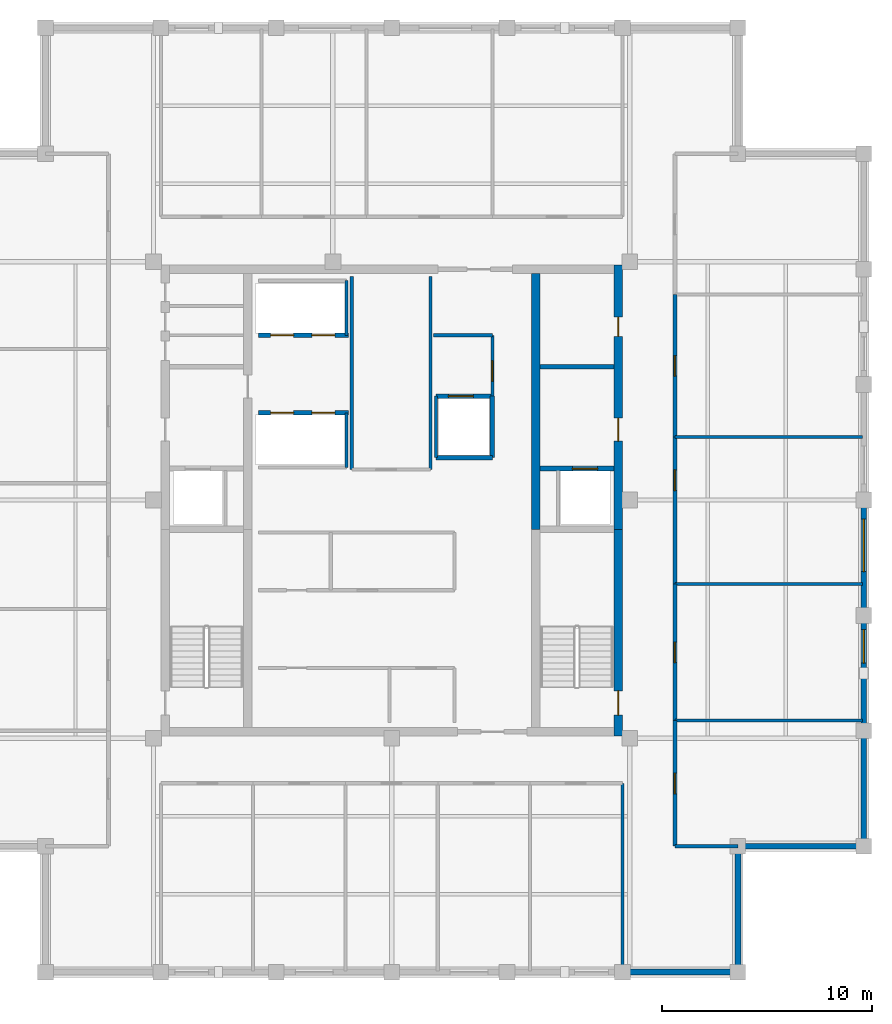
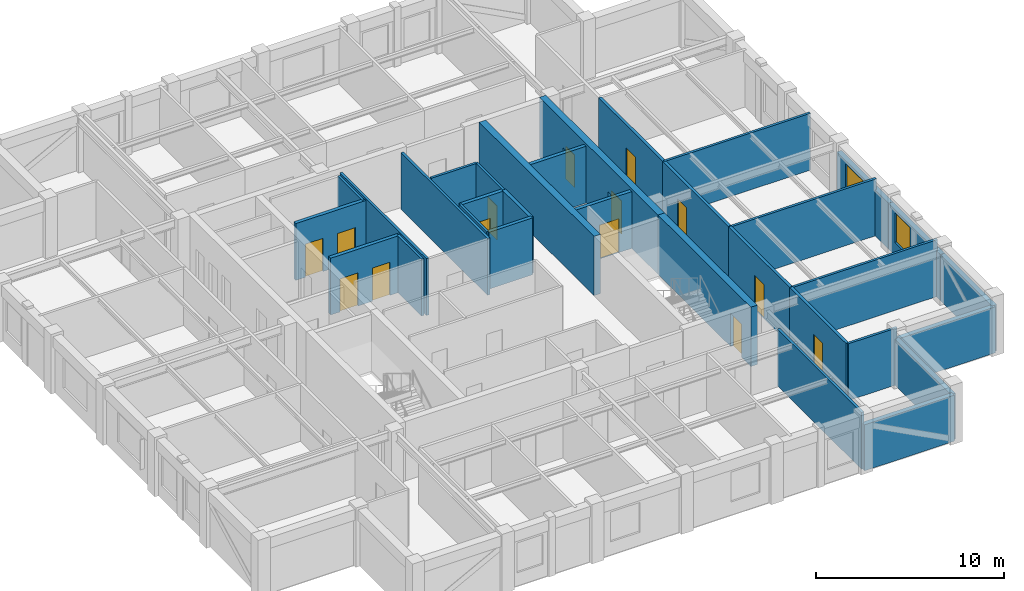
# One storey, part 5 of 8: 32 walls, 14 doors, 2 windows, 16 openings.
"""IFC4 building model written with IfcOpenShell, lengths in metres."""

from ifc_helpers import new_model, si_unit, direction, frame, frame_2d, origin, place, context, subcontext, project, spatial, rectangle, extrude, material, layer, layer_set, type_object, element, fill, save


model = new_model("IFC4")

# Units and contexts
model_context = context("Model", 3, precision=1e-05, world=origin(), true_north=direction((0.0, 1.0)))
body_context = subcontext(model_context, "Body", "Model", "MODEL_VIEW")
ifc_project = project(units=[si_unit("LENGTHUNIT", "METRE"), si_unit("AREAUNIT", "SQUARE_METRE"), si_unit("VOLUMEUNIT", "CUBIC_METRE"), si_unit("PLANEANGLEUNIT", "RADIAN"), si_unit("MASSUNIT", "GRAM", prefix="KILO")], contexts=[model_context])

# Site, building, storey
site_placement = place(None, origin())
site = spatial("IfcSite", under=ifc_project, at=site_placement, CompositionType="ELEMENT")
building_placement = place(site_placement, origin())
building = spatial("IfcBuilding", under=site, at=building_placement, Name="Nhamokura Convention Tower", CompositionType="ELEMENT")
storey_placement = place(building_placement, frame((0.0, 0.0, 292.949951171875)))
storey = spatial("IfcBuildingStorey", under=building, at=storey_placement, Name="L72", CompositionType="ELEMENT", Elevation=292.949951171875)

# Walls
ifc_material_1 = material(Name="Bronze-pigmented precast concrete C45/55", Category="concrete")
ifc_layer_1 = layer(ifc_material_1, 0.280029296875)
ifc_layer_set_1 = layer_set([ifc_layer_1], Name="BronzePrecastSpandrel_280")
wall_type_1 = type_object("IfcWallType", Name="BronzePrecastSpandrel_280", PredefinedType="USERDEFINED", material=ifc_layer_set_1)
for number, where, z_axis, x_axis, name in (
    (1, (48.5, 9.5, 0.0), (0.0, 0.0, 1.0), (-1.0, 0.0, 0.0), "L72 Braced-Bay Precast Wall SOUTH 5"),
    (2, (54.5, 21.0, 0.0), (0.0, 0.0, 1.0), (0.0, -1.0, 0.0), "L72 Braced-Bay Precast Wall EAST 0"),
):
    element("IfcWall", number, at=place(storey_placement, frame(where, z_axis=z_axis, x_axis=x_axis)), inside=storey, type_object=wall_type_1, Name=name, ObjectType="SPANDREL_WALL", PredefinedType="USERDEFINED", context=body_context, shape_type="SweptSolid", body=[
        extrude(rectangle(XDim=5.5, YDim=0.280029296875, at=frame_2d((2.75, 0.0))), origin(), (0.0, 0.0, 1.0), 2.985107421875),
    ])

# Wall, opening, window
wall_1_placement = place(storey_placement, frame((54.5, 26.5, 0.0), z_axis=(0.0, 0.0, 1.0), x_axis=(0.0, -1.0, 0.0)))
wall_1 = element("IfcWall", 3, at=wall_1_placement, inside=storey, type_object=wall_type_1, Name="L72 Masonry-Frame Wall EAST 1", ObjectType="SPANDREL_WALL", PredefinedType="USERDEFINED", context=body_context, shape_type="SweptSolid", body=[
    extrude(rectangle(XDim=5.5, YDim=0.280029296875, at=frame_2d((2.75, 0.0))), origin(), (0.0, 0.0, 1.0), 2.985107421875),
])
opening_1_placement = place(wall_1_placement, frame((0.675048828125, 0.0, 0.85009765625)))
opening_1 = element("IfcOpeningElement", 4, at=opening_1_placement, cuts=wall_1, Name="Opening W-11", PredefinedType="OPENING", context=body_context, shape_type="SweptSolid", body=[
    extrude(rectangle(XDim=1.60009765625, YDim=1.93505859375, at=frame_2d((0.800048828125, 0.967529296875))), frame((0.0, 0.14990234375, 0.0), z_axis=(0.0, -1.0, 0.0), x_axis=(1.0, 0.0, 0.0)), (0.0, 0.0, 1.0), 0.300048828125),
])
ifc_material_2 = material(Name="Solar-control bronze low-E double glass", Category="glass")
window_type_1 = type_object("IfcWindowType", Name="NotchCornerWindow_1600", PartitioningType="SINGLE_PANEL", PredefinedType="WINDOW", material=ifc_material_2)
window_1_placement = place(opening_1_placement, origin())
window_1 = element("IfcWindow", 5, at=window_1_placement, inside=storey, type_object=window_type_1, Name="L72 Facade Window EAST 1-1", OverallHeight=1.93505859375, OverallWidth=1.60009765625, PartitioningType="SINGLE_PANEL", PredefinedType="WINDOW", context=body_context, shape_type="SweptSolid", body=[
    extrude(rectangle(XDim=1.60009765625, YDim=1.93505859375, at=frame_2d((0.800048828125, 0.967529296875))), frame((0.0, 0.030029296875, 0.0), z_axis=(0.0, -1.0, 0.0), x_axis=(1.0, 0.0, 0.0)), (0.0, 0.0, 1.0), 0.06005859375),
])
fill(opening_1, window_1)

wall_2_placement = place(storey_placement, frame((54.5, 32.0, 0.0), z_axis=(0.0, 0.0, 1.0), x_axis=(0.0, -1.0, 0.0)))
wall_2 = element("IfcWall", 6, at=wall_2_placement, inside=storey, type_object=wall_type_1, Name="L72 Masonry-Frame Wall EAST 2", ObjectType="SPANDREL_WALL", PredefinedType="USERDEFINED", context=body_context, shape_type="SweptSolid", body=[
    extrude(rectangle(XDim=5.5, YDim=0.280029296875, at=frame_2d((2.75, 0.0))), origin(), (0.0, 0.0, 1.0), 2.985107421875),
])
opening_2_placement = place(wall_2_placement, frame((0.91259765625, 0.0, 0.85009765625)))
opening_2 = element("IfcOpeningElement", 7, at=opening_2_placement, cuts=wall_2, Name="Opening W-09", PredefinedType="OPENING", context=body_context, shape_type="SweptSolid", body=[
    extrude(rectangle(XDim=2.5, YDim=1.93505859375, at=frame_2d((1.25, 0.967529296875))), frame((0.0, 0.14990234375, 0.0), z_axis=(0.0, -1.0, 0.0), x_axis=(1.0, 0.0, 0.0)), (0.0, 0.0, 1.0), 0.300048828125),
])
ifc_material_3 = material(Name="Solar-control bronze low-E double glass", Category="glass")
window_type_2 = type_object("IfcWindowType", Name="SummitWindow_Z4_2500", PartitioningType="DOUBLE_PANEL_VERTICAL", PredefinedType="WINDOW", material=ifc_material_3)
window_2_placement = place(opening_2_placement, origin())
window_2 = element("IfcWindow", 8, at=window_2_placement, inside=storey, type_object=window_type_2, Name="L72 Facade Window EAST 2-1", OverallHeight=1.93505859375, OverallWidth=2.5, PartitioningType="SINGLE_PANEL", PredefinedType="WINDOW", context=body_context, shape_type="SweptSolid", body=[
    extrude(rectangle(XDim=2.5, YDim=1.93505859375, at=frame_2d((1.25, 0.967529296875))), frame((0.0, 0.030029296875, 0.0), z_axis=(0.0, -1.0, 0.0), x_axis=(1.0, 0.0, 0.0)), (0.0, 0.0, 1.0), 0.06005859375),
])
fill(opening_2, window_2)

# Walls
for number, where, z_axis, x_axis, name in (
    (9, (48.5, 15.5, 0.0), (0.0, 0.0, 1.0), (0.0, -1.0, 0.0), "L72 Notched Corner Wall SE1"),
    (10, (54.5, 15.5, 0.0), (0.0, 0.0, 1.0), (-1.0, 0.0, 0.0), "L72 Notched Corner Wall SE2"),
):
    element("IfcWall", number, at=place(storey_placement, frame(where, z_axis=z_axis, x_axis=x_axis)), inside=storey, type_object=wall_type_1, Name=name, ObjectType="SPANDREL_WALL", PredefinedType="USERDEFINED", context=body_context, shape_type="SweptSolid", body=[
        extrude(rectangle(XDim=6.0, YDim=0.280029296875, at=frame_2d((3.0, 0.0))), origin(), (0.0, 0.0, 1.0), 2.985107421875),
    ])

# Wall, opening, door
ifc_material_4 = material(Name="Concrete C50/60", Category="concrete")
ifc_layer_2 = layer(ifc_material_4, 0.39990234375)
ifc_layer_set_2 = layer_set([ifc_layer_2], Name="CoreShearWall_400")
wall_type_2 = type_object("IfcWallType", Name="CoreShearWall_400", PredefinedType="SHEAR", material=ifc_layer_set_2)
wall_3_placement = place(storey_placement, frame((42.7900390625, 20.75, 0.0), z_axis=(0.0, 0.0, 1.0), x_axis=(0.0, 1.0, 0.0)))
wall_3 = element("IfcWall", 11, at=wall_3_placement, inside=storey, type_object=wall_type_2, Name="L72 Core Shear Wall CW-ES", PredefinedType="SHEAR", context=body_context, shape_type="SweptSolid", body=[
    extrude(rectangle(XDim=9.85009765625, YDim=0.39990234375, at=frame_2d((4.925048828125, 0.0))), origin(), (0.0, 0.0, 1.0), 3.85009765625),
])
opening_3_placement = place(wall_3_placement, frame((1.0, 0.0, 0.0)))
opening_3 = element("IfcOpeningElement", 12, at=opening_3_placement, cuts=wall_3, Name="Opening D-04", PredefinedType="OPENING", context=body_context, shape_type="SweptSolid", body=[
    extrude(rectangle(XDim=1.14990234375, YDim=2.14990234375, at=frame_2d((0.574951171875, 1.074951171875))), frame((0.0, 0.2099609375, 0.0), z_axis=(0.0, -1.0, 0.0), x_axis=(1.0, 0.0, 0.0)), (0.0, 0.0, 1.0), 0.419921875),
])
ifc_material_5 = material(Name="Fire-rated steel door", Category="steel")
door_type_1 = type_object("IfcDoorType", Name="StairSmokeDoor_1150", OperationType="NOTDEFINED", PredefinedType="DOOR", material=ifc_material_5)
door_1_placement = place(opening_3_placement, origin())
door_1 = element("IfcDoor", 13, at=door_1_placement, inside=storey, type_object=door_type_1, Name="L72 Core Door INT-L72-D-ST02", OperationType="SINGLE_SWING_RIGHT", OverallHeight=2.14990234375, OverallWidth=1.14990234375, PredefinedType="DOOR", context=body_context, shape_type="SweptSolid", body=[
    extrude(rectangle(XDim=1.14990234375, YDim=2.14990234375, at=frame_2d((0.574951171875, 1.074951171875))), frame((0.0, 0.02490234375, 0.0), z_axis=(0.0, -1.0, 0.0), x_axis=(1.0, 0.0, 0.0)), (0.0, 0.0, 1.0), 0.050048828125),
])
fill(opening_3, door_1)

# Wall, openings, doors
wall_4_placement = place(storey_placement, frame((42.7900390625, 30.60009765625, 0.0), z_axis=(0.0, 0.0, 1.0), x_axis=(0.0, 1.0, 0.0)))
wall_4 = element("IfcWall", 14, at=wall_4_placement, inside=storey, type_object=wall_type_2, Name="L72 Core Shear Wall CW-EN", PredefinedType="SHEAR", context=body_context, shape_type="SweptSolid", body=[
    extrude(rectangle(XDim=12.599853515625, YDim=0.39990234375, at=frame_2d((6.2998046875, 0.0))), origin(), (0.0, 0.0, 1.0), 3.85009765625),
])
opening_4_placement = place(wall_4_placement, frame((4.199951171875, 0.0, 0.0)))
opening_4 = element("IfcOpeningElement", 15, at=opening_4_placement, cuts=wall_4, Name="Opening D-05", PredefinedType="OPENING", context=body_context, shape_type="SweptSolid", body=[
    extrude(rectangle(XDim=1.10009765625, YDim=2.14990234375, at=frame_2d((0.550048828125, 1.074951171875))), frame((0.0, 0.2099609375, 0.0), z_axis=(0.0, -1.0, 0.0), x_axis=(1.0, 0.0, 0.0)), (0.0, 0.0, 1.0), 0.419921875),
])
opening_5_placement = place(wall_4_placement, frame((9.199951171875, 0.0, 0.0)))
opening_5 = element("IfcOpeningElement", 16, at=opening_5_placement, cuts=wall_4, Name="Opening D-10", PredefinedType="OPENING", context=body_context, shape_type="SweptSolid", body=[
    extrude(rectangle(XDim=0.919921875, YDim=2.10009765625, at=frame_2d((0.4599609375, 1.050048828125))), frame((0.0, 0.2099609375, 0.0), z_axis=(0.0, -1.0, 0.0), x_axis=(1.0, 0.0, 0.0)), (0.0, 0.0, 1.0), 0.419921875),
])
ifc_material_6 = material(Name="Solid oak hardwood", Category="wood")
door_type_2 = type_object("IfcDoorType", Name="AccessibleWCDoor_920", OperationType="NOTDEFINED", PredefinedType="DOOR", material=ifc_material_6)
door_2_placement = place(opening_5_placement, origin())
door_2 = element("IfcDoor", 17, at=door_2_placement, inside=storey, type_object=door_type_2, Name="L72 Core Door INT-L72-D-UWC", OperationType="SINGLE_SWING_RIGHT", OverallHeight=2.10009765625, OverallWidth=0.919921875, PredefinedType="DOOR", context=body_context, shape_type="SweptSolid", body=[
    extrude(rectangle(XDim=0.919921875, YDim=2.10009765625, at=frame_2d((0.4599609375, 1.050048828125))), frame((0.0, 0.02490234375, 0.0), z_axis=(0.0, -1.0, 0.0), x_axis=(1.0, 0.0, 0.0)), (0.0, 0.0, 1.0), 0.050048828125),
])
fill(opening_5, door_2)
ifc_material_7 = material(Name="Fire-rated steel door", Category="steel")
door_type_3 = type_object("IfcDoorType", Name="FireLobbyDoor_1100", OperationType="NOTDEFINED", PredefinedType="DOOR", material=ifc_material_7)
door_3_placement = place(opening_4_placement, origin())
door_3 = element("IfcDoor", 18, at=door_3_placement, inside=storey, type_object=door_type_3, Name="L72 Core Door INT-L72-D-FFLE", OperationType="SINGLE_SWING_LEFT", OverallHeight=2.14990234375, OverallWidth=1.10009765625, PredefinedType="DOOR", context=body_context, shape_type="SweptSolid", body=[
    extrude(rectangle(XDim=1.10009765625, YDim=2.14990234375, at=frame_2d((0.550048828125, 1.074951171875))), frame((0.0, 0.02490234375, 0.0), z_axis=(0.0, -1.0, 0.0), x_axis=(1.0, 0.0, 0.0)), (0.0, 0.0, 1.0), 0.050048828125),
])
fill(opening_4, door_3)

# Wall
wall_5_placement = place(storey_placement, frame((38.860107421875, 30.60009765625, 0.0), z_axis=(0.0, 0.0, 1.0), x_axis=(0.0, 1.0, 0.0)))
element("IfcWall", 19, at=wall_5_placement, inside=storey, type_object=wall_type_2, Name="L72 Core Shear Wall CW-IEN", PredefinedType="SHEAR", context=body_context, shape_type="SweptSolid", body=[
    extrude(rectangle(XDim=12.199951171875, YDim=0.39990234375, at=frame_2d((6.10009765625, 0.0))), origin(), (0.0, 0.0, 1.0), 3.85009765625),
])

# Wall, opening, door
ifc_material_8 = material(Name="Fire-rated gypsum and masonry partition", Category="masonry")
ifc_layer_3 = layer(ifc_material_8, 0.179931640625)
ifc_layer_set_3 = layer_set([ifc_layer_3], Name="CorridorRatedWall_180")
wall_type_3 = type_object("IfcWallType", Name="CorridorRatedWall_180", PredefinedType="STANDARD", material=ifc_layer_set_3)
wall_6_placement = place(storey_placement, frame((45.5, 15.5, 0.0), z_axis=(0.0, 0.0, 1.0), x_axis=(0.0, 1.0, 0.0)))
wall_6 = element("IfcWall", 20, at=wall_6_placement, inside=storey, type_object=wall_type_3, Name="L72 Wall INT-L72-CW-E00", PredefinedType="STANDARD", context=body_context, shape_type="SweptSolid", body=[
    extrude(rectangle(XDim=6.0, YDim=0.179931640625, at=frame_2d((3.0, 0.0))), origin(), (0.0, 0.0, 1.0), 3.68505859375),
])
opening_6_placement = place(wall_6_placement, frame((2.5, 0.0, 0.0)))
opening_6 = element("IfcOpeningElement", 21, at=opening_6_placement, cuts=wall_6, Name="Opening D-08", PredefinedType="OPENING", context=body_context, shape_type="SweptSolid", body=[
    extrude(rectangle(XDim=0.97998046875, YDim=2.199951171875, at=frame_2d((0.489990234375, 1.10009765625))), frame((0.0, 0.099853515625, 0.0), z_axis=(0.0, -1.0, 0.0), x_axis=(1.0, 0.0, 0.0)), (0.0, 0.0, 1.0), 0.199951171875),
])
ifc_material_9 = material(Name="Solid oak hardwood", Category="wood")
door_type_4 = type_object("IfcDoorType", Name="OfficeEntryDoor_980", OperationType="NOTDEFINED", PredefinedType="DOOR", material=ifc_material_9)
door_4_placement = place(opening_6_placement, origin())
door_4 = element("IfcDoor", 22, at=door_4_placement, inside=storey, type_object=door_type_4, Name="L72 Reading Lounge E01 Door", OperationType="SINGLE_SWING_LEFT", OverallHeight=2.199951171875, OverallWidth=0.97998046875, PredefinedType="DOOR", context=body_context, shape_type="SweptSolid", body=[
    extrude(rectangle(XDim=0.97998046875, YDim=2.199951171875, at=frame_2d((0.489990234375, 1.10009765625))), frame((0.0, 0.02490234375, 0.0), z_axis=(0.0, -1.0, 0.0), x_axis=(1.0, 0.0, 0.0)), (0.0, 0.0, 1.0), 0.050048828125),
])
fill(opening_6, door_4)

wall_7_placement = place(storey_placement, frame((45.5, 21.5, 0.0), z_axis=(0.0, 0.0, 1.0), x_axis=(0.0, 1.0, 0.0)))
wall_7 = element("IfcWall", 23, at=wall_7_placement, inside=storey, type_object=wall_type_3, Name="L72 Wall INT-L72-CW-E01", PredefinedType="STANDARD", context=body_context, shape_type="SweptSolid", body=[
    extrude(rectangle(XDim=6.5, YDim=0.179931640625, at=frame_2d((3.25, 0.0))), origin(), (0.0, 0.0, 1.0), 3.68505859375),
])
opening_7_placement = place(wall_7_placement, frame((2.75, 0.0, 0.0)))
opening_7 = element("IfcOpeningElement", 24, at=opening_7_placement, cuts=wall_7, Name="Opening D-08", PredefinedType="OPENING", context=body_context, shape_type="SweptSolid", body=[
    extrude(rectangle(XDim=0.97998046875, YDim=2.199951171875, at=frame_2d((0.489990234375, 1.10009765625))), frame((0.0, 0.099853515625, 0.0), z_axis=(0.0, -1.0, 0.0), x_axis=(1.0, 0.0, 0.0)), (0.0, 0.0, 1.0), 0.199951171875),
])
door_5_placement = place(opening_7_placement, origin())
door_5 = element("IfcDoor", 25, at=door_5_placement, inside=storey, type_object=door_type_4, Name="L72 Private Office E02 Door", OperationType="SINGLE_SWING_RIGHT", OverallHeight=2.199951171875, OverallWidth=0.97998046875, PredefinedType="DOOR", context=body_context, shape_type="SweptSolid", body=[
    extrude(rectangle(XDim=0.97998046875, YDim=2.199951171875, at=frame_2d((0.489990234375, 1.10009765625))), frame((0.0, 0.02490234375, 0.0), z_axis=(0.0, -1.0, 0.0), x_axis=(1.0, 0.0, 0.0)), (0.0, 0.0, 1.0), 0.050048828125),
])
fill(opening_7, door_5)

wall_8_placement = place(storey_placement, frame((45.5, 28.0, 0.0), z_axis=(0.0, 0.0, 1.0), x_axis=(0.0, 1.0, 0.0)))
wall_8 = element("IfcWall", 26, at=wall_8_placement, inside=storey, type_object=wall_type_3, Name="L72 Wall INT-L72-CW-E02", PredefinedType="STANDARD", context=body_context, shape_type="SweptSolid", body=[
    extrude(rectangle(XDim=7.0, YDim=0.179931640625, at=frame_2d((3.5, 0.0))), origin(), (0.0, 0.0, 1.0), 3.68505859375),
])
opening_8_placement = place(wall_8_placement, frame((4.449951171875, 0.0, 0.0)))
opening_8 = element("IfcOpeningElement", 27, at=opening_8_placement, cuts=wall_8, Name="Opening D-08", PredefinedType="OPENING", context=body_context, shape_type="SweptSolid", body=[
    extrude(rectangle(XDim=0.97998046875, YDim=2.199951171875, at=frame_2d((0.489990234375, 1.10009765625))), frame((0.0, 0.099853515625, 0.0), z_axis=(0.0, -1.0, 0.0), x_axis=(1.0, 0.0, 0.0)), (0.0, 0.0, 1.0), 0.199951171875),
])
door_6_placement = place(opening_8_placement, origin())
door_6 = element("IfcDoor", 28, at=door_6_placement, inside=storey, type_object=door_type_4, Name="L72 Reading Lounge E03 Door", OperationType="SINGLE_SWING_LEFT", OverallHeight=2.199951171875, OverallWidth=0.97998046875, PredefinedType="DOOR", context=body_context, shape_type="SweptSolid", body=[
    extrude(rectangle(XDim=0.97998046875, YDim=2.199951171875, at=frame_2d((0.489990234375, 1.10009765625))), frame((0.0, 0.02490234375, 0.0), z_axis=(0.0, -1.0, 0.0), x_axis=(1.0, 0.0, 0.0)), (0.0, 0.0, 1.0), 0.050048828125),
])
fill(opening_8, door_6)

wall_9_placement = place(storey_placement, frame((45.5, 35.0, 0.0), z_axis=(0.0, 0.0, 1.0), x_axis=(0.0, 1.0, 0.0)))
wall_9 = element("IfcWall", 29, at=wall_9_placement, inside=storey, type_object=wall_type_3, Name="L72 Wall INT-L72-CW-E03", PredefinedType="STANDARD", context=body_context, shape_type="SweptSolid", body=[
    extrude(rectangle(XDim=6.800048828125, YDim=0.179931640625, at=frame_2d((3.39990234375, 0.0))), origin(), (0.0, 0.0, 1.0), 3.68505859375),
])
opening_9_placement = place(wall_9_placement, frame((2.89990234375, 0.0, 0.0)))
opening_9 = element("IfcOpeningElement", 30, at=opening_9_placement, cuts=wall_9, Name="Opening D-08", PredefinedType="OPENING", context=body_context, shape_type="SweptSolid", body=[
    extrude(rectangle(XDim=0.97998046875, YDim=2.199951171875, at=frame_2d((0.489990234375, 1.10009765625))), frame((0.0, 0.099853515625, 0.0), z_axis=(0.0, -1.0, 0.0), x_axis=(1.0, 0.0, 0.0)), (0.0, 0.0, 1.0), 0.199951171875),
])
door_7_placement = place(opening_9_placement, origin())
door_7 = element("IfcDoor", 31, at=door_7_placement, inside=storey, type_object=door_type_4, Name="L72 Private Office E04 Door", OperationType="SINGLE_SWING_RIGHT", OverallHeight=2.199951171875, OverallWidth=0.97998046875, PredefinedType="DOOR", context=body_context, shape_type="SweptSolid", body=[
    extrude(rectangle(XDim=0.97998046875, YDim=2.199951171875, at=frame_2d((0.489990234375, 1.10009765625))), frame((0.0, 0.02490234375, 0.0), z_axis=(0.0, -1.0, 0.0), x_axis=(1.0, 0.0, 0.0)), (0.0, 0.0, 1.0), 0.050048828125),
])
fill(opening_9, door_7)

ifc_material_10 = material(Name="Autoclaved concrete blockwork", Category="masonry")
ifc_layer_4 = layer(ifc_material_10, 0.219970703125)
ifc_layer_set_4 = layer_set([ifc_layer_4], Name="FireLobbyWall_220")
wall_type_4 = type_object("IfcWallType", Name="FireLobbyWall_220", PredefinedType="STANDARD", material=ifc_layer_set_4)
wall_10_placement = place(storey_placement, frame((39.06005859375, 33.5, 0.0), z_axis=(0.0, 0.0, 1.0), x_axis=(1.0, 0.0, 0.0)))
wall_10 = element("IfcWall", 32, at=wall_10_placement, inside=storey, type_object=wall_type_4, Name="L72 Wall INT-L72-FFE-S", PredefinedType="STANDARD", context=body_context, shape_type="SweptSolid", body=[
    extrude(rectangle(XDim=3.530029296875, YDim=0.219970703125, at=frame_2d((1.76513671875, 0.0))), origin(), (0.0, 0.0, 1.0), 3.68505859375),
])
opening_10_placement = place(wall_10_placement, frame((1.550048828125, 0.0, 0.0)))
opening_10 = element("IfcOpeningElement", 33, at=opening_10_placement, cuts=wall_10, Name="Opening LD-02", PredefinedType="OPENING", context=body_context, shape_type="SweptSolid", body=[
    extrude(rectangle(XDim=1.199951171875, YDim=2.199951171875, at=frame_2d((0.60009765625, 1.10009765625))), frame((0.0, 0.119873046875, 0.0), z_axis=(0.0, -1.0, 0.0), x_axis=(1.0, 0.0, 0.0)), (0.0, 0.0, 1.0), 0.239990234375),
])
ifc_material_11 = material(Name="Anodised bronze stainless steel", Category="steel")
door_type_5 = type_object("IfcDoorType", Name="LiftLandingDoor_FireService", OperationType="DOUBLE_DOOR_SLIDING", PredefinedType="DOOR", material=ifc_material_11)
door_8_placement = place(opening_10_placement, origin())
door_8 = element("IfcDoor", 34, at=door_8_placement, inside=storey, type_object=door_type_5, Name="L72 Firefighting Lift LF-02 Door", OperationType="DOUBLE_DOOR_SLIDING", OverallHeight=2.199951171875, OverallWidth=1.199951171875, PredefinedType="DOOR", context=body_context, shape_type="SweptSolid", body=[
    extrude(rectangle(XDim=1.199951171875, YDim=2.199951171875, at=frame_2d((0.60009765625, 1.10009765625))), frame((0.0, 0.02490234375, 0.0), z_axis=(0.0, -1.0, 0.0), x_axis=(1.0, 0.0, 0.0)), (0.0, 0.0, 1.0), 0.050048828125),
])
fill(opening_10, door_8)

# Wall
wall_11_placement = place(storey_placement, frame((39.06005859375, 38.35009765625, 0.0), z_axis=(0.0, 0.0, 1.0), x_axis=(1.0, 0.0, 0.0)))
element("IfcWall", 35, at=wall_11_placement, inside=storey, type_object=wall_type_4, Name="L72 Wall INT-L72-FFE-N", PredefinedType="STANDARD", context=body_context, shape_type="SweptSolid", body=[
    extrude(rectangle(XDim=3.530029296875, YDim=0.219970703125, at=frame_2d((1.76513671875, 0.0))), origin(), (0.0, 0.0, 1.0), 3.68505859375),
])

# Wall, openings, doors
wall_12_placement = place(storey_placement, frame((25.64990234375, 36.14990234375, 0.0), z_axis=(0.0, 0.0, 1.0), x_axis=(1.0, 0.0, 0.0)))
wall_12 = element("IfcWall", 36, at=wall_12_placement, inside=storey, type_object=wall_type_4, Name="L72 Wall INT-L72-B3S", PredefinedType="STANDARD", context=body_context, shape_type="SweptSolid", body=[
    extrude(rectangle(XDim=4.300048828125, YDim=0.219970703125, at=frame_2d((2.14990234375, 0.0))), origin(), (0.0, 0.0, 1.0), 3.68505859375),
])
opening_11_placement = place(wall_12_placement, frame((0.580078125, 0.0, 0.0)))
opening_11 = element("IfcOpeningElement", 37, at=opening_11_placement, cuts=wall_12, Name="Opening LD-01", PredefinedType="OPENING", context=body_context, shape_type="SweptSolid", body=[
    extrude(rectangle(XDim=1.10009765625, YDim=2.14990234375, at=frame_2d((0.550048828125, 1.074951171875))), frame((0.0, 0.119873046875, 0.0), z_axis=(0.0, -1.0, 0.0), x_axis=(1.0, 0.0, 0.0)), (0.0, 0.0, 1.0), 0.239990234375),
])
opening_12_placement = place(wall_12_placement, frame((2.550048828125, 0.0, 0.0)))
opening_12 = element("IfcOpeningElement", 38, at=opening_12_placement, cuts=wall_12, Name="Opening LD-01", PredefinedType="OPENING", context=body_context, shape_type="SweptSolid", body=[
    extrude(rectangle(XDim=1.10009765625, YDim=2.14990234375, at=frame_2d((0.550048828125, 1.074951171875))), frame((0.0, 0.119873046875, 0.0), z_axis=(0.0, -1.0, 0.0), x_axis=(1.0, 0.0, 0.0)), (0.0, 0.0, 1.0), 0.239990234375),
])
ifc_material_12 = material(Name="Anodised bronze stainless steel", Category="steel")
door_type_6 = type_object("IfcDoorType", Name="LiftLandingDoor_Passenger", OperationType="DOUBLE_DOOR_SLIDING", PredefinedType="DOOR", material=ifc_material_12)
door_9_placement = place(opening_11_placement, origin())
door_9 = element("IfcDoor", 39, at=door_9_placement, inside=storey, type_object=door_type_6, Name="L72 Lift LP-09 Door", OperationType="DOUBLE_DOOR_SLIDING", OverallHeight=2.14990234375, OverallWidth=1.10009765625, PredefinedType="DOOR", context=body_context, shape_type="SweptSolid", body=[
    extrude(rectangle(XDim=1.10009765625, YDim=2.14990234375, at=frame_2d((0.550048828125, 1.074951171875))), frame((0.0, 0.02490234375, 0.0), z_axis=(0.0, -1.0, 0.0), x_axis=(1.0, 0.0, 0.0)), (0.0, 0.0, 1.0), 0.050048828125),
])
fill(opening_11, door_9)
door_10_placement = place(opening_12_placement, origin())
door_10 = element("IfcDoor", 40, at=door_10_placement, inside=storey, type_object=door_type_6, Name="L72 Lift LP-10 Door", OperationType="DOUBLE_DOOR_SLIDING", OverallHeight=2.14990234375, OverallWidth=1.10009765625, PredefinedType="DOOR", context=body_context, shape_type="SweptSolid", body=[
    extrude(rectangle(XDim=1.10009765625, YDim=2.14990234375, at=frame_2d((0.550048828125, 1.074951171875))), frame((0.0, 0.02490234375, 0.0), z_axis=(0.0, -1.0, 0.0), x_axis=(1.0, 0.0, 0.0)), (0.0, 0.0, 1.0), 0.050048828125),
])
fill(opening_12, door_10)

wall_13_placement = place(storey_placement, frame((25.64990234375, 39.85009765625, 0.0), z_axis=(0.0, 0.0, 1.0), x_axis=(1.0, 0.0, 0.0)))
wall_13 = element("IfcWall", 41, at=wall_13_placement, inside=storey, type_object=wall_type_4, Name="L72 Wall INT-L72-B3N", PredefinedType="STANDARD", context=body_context, shape_type="SweptSolid", body=[
    extrude(rectangle(XDim=4.300048828125, YDim=0.219970703125, at=frame_2d((2.14990234375, 0.0))), origin(), (0.0, 0.0, 1.0), 3.68505859375),
])
opening_13_placement = place(wall_13_placement, frame((0.580078125, 0.0, 0.0)))
opening_13 = element("IfcOpeningElement", 42, at=opening_13_placement, cuts=wall_13, Name="Opening LD-01", PredefinedType="OPENING", context=body_context, shape_type="SweptSolid", body=[
    extrude(rectangle(XDim=1.10009765625, YDim=2.14990234375, at=frame_2d((0.550048828125, 1.074951171875))), frame((0.0, 0.119873046875, 0.0), z_axis=(0.0, -1.0, 0.0), x_axis=(1.0, 0.0, 0.0)), (0.0, 0.0, 1.0), 0.239990234375),
])
opening_14_placement = place(wall_13_placement, frame((2.550048828125, 0.0, 0.0)))
opening_14 = element("IfcOpeningElement", 43, at=opening_14_placement, cuts=wall_13, Name="Opening LD-01", PredefinedType="OPENING", context=body_context, shape_type="SweptSolid", body=[
    extrude(rectangle(XDim=1.10009765625, YDim=2.14990234375, at=frame_2d((0.550048828125, 1.074951171875))), frame((0.0, 0.119873046875, 0.0), z_axis=(0.0, -1.0, 0.0), x_axis=(1.0, 0.0, 0.0)), (0.0, 0.0, 1.0), 0.239990234375),
])
door_11_placement = place(opening_13_placement, origin())
door_11 = element("IfcDoor", 44, at=door_11_placement, inside=storey, type_object=door_type_6, Name="L72 Lift LP-11 Door", OperationType="DOUBLE_DOOR_SLIDING", OverallHeight=2.14990234375, OverallWidth=1.10009765625, PredefinedType="DOOR", context=body_context, shape_type="SweptSolid", body=[
    extrude(rectangle(XDim=1.10009765625, YDim=2.14990234375, at=frame_2d((0.550048828125, 1.074951171875))), frame((0.0, 0.02490234375, 0.0), z_axis=(0.0, -1.0, 0.0), x_axis=(1.0, 0.0, 0.0)), (0.0, 0.0, 1.0), 0.050048828125),
])
fill(opening_13, door_11)
door_12_placement = place(opening_14_placement, origin())
door_12 = element("IfcDoor", 45, at=door_12_placement, inside=storey, type_object=door_type_6, Name="L72 Lift LP-12 Door", OperationType="DOUBLE_DOOR_SLIDING", OverallHeight=2.14990234375, OverallWidth=1.10009765625, PredefinedType="DOOR", context=body_context, shape_type="SweptSolid", body=[
    extrude(rectangle(XDim=1.10009765625, YDim=2.14990234375, at=frame_2d((0.550048828125, 1.074951171875))), frame((0.0, 0.02490234375, 0.0), z_axis=(0.0, -1.0, 0.0), x_axis=(1.0, 0.0, 0.0)), (0.0, 0.0, 1.0), 0.050048828125),
])
fill(opening_14, door_12)

# Wall, opening, door
wall_14_placement = place(storey_placement, frame((34.1201171875, 36.949951171875, 0.0), z_axis=(0.0, 0.0, 1.0), x_axis=(1.0, 0.0, 0.0)))
wall_14 = element("IfcWall", 46, at=wall_14_placement, inside=storey, type_object=wall_type_4, Name="L72 Wall INT-L72-LSN", PredefinedType="STANDARD", context=body_context, shape_type="SweptSolid", body=[
    extrude(rectangle(XDim=2.679931640625, YDim=0.219970703125, at=frame_2d((1.33984375, 0.0))), origin(), (0.0, 0.0, 1.0), 3.68505859375),
])
opening_15_placement = place(wall_14_placement, frame((0.580078125, 0.0, 0.0)))
opening_15 = element("IfcOpeningElement", 47, at=opening_15_placement, cuts=wall_14, Name="Opening LD-02", PredefinedType="OPENING", context=body_context, shape_type="SweptSolid", body=[
    extrude(rectangle(XDim=1.199951171875, YDim=2.199951171875, at=frame_2d((0.60009765625, 1.10009765625))), frame((0.0, 0.119873046875, 0.0), z_axis=(0.0, -1.0, 0.0), x_axis=(1.0, 0.0, 0.0)), (0.0, 0.0, 1.0), 0.239990234375),
])
door_13_placement = place(opening_15_placement, origin())
door_13 = element("IfcDoor", 48, at=door_13_placement, inside=storey, type_object=door_type_5, Name="L72 Service Lift LS-01 Door", OperationType="DOUBLE_DOOR_SLIDING", OverallHeight=2.199951171875, OverallWidth=1.199951171875, PredefinedType="DOOR", context=body_context, shape_type="SweptSolid", body=[
    extrude(rectangle(XDim=1.199951171875, YDim=2.199951171875, at=frame_2d((0.60009765625, 1.10009765625))), frame((0.0, 0.02490234375, 0.0), z_axis=(0.0, -1.0, 0.0), x_axis=(1.0, 0.0, 0.0)), (0.0, 0.0, 1.0), 0.050048828125),
])
fill(opening_15, door_13)

# Walls
wall_15_placement = place(storey_placement, frame((36.800048828125, 34.02001953125, 0.0), z_axis=(0.0, 0.0, 1.0), x_axis=(0.0, 1.0, 0.0)))
element("IfcWall", 49, at=wall_15_placement, inside=storey, type_object=wall_type_4, Name="L72 Wall INT-L72-LSE", PredefinedType="STANDARD", context=body_context, shape_type="SweptSolid", body=[
    extrude(rectangle(XDim=2.929931640625, YDim=0.219970703125, at=frame_2d((1.46484375, 0.0))), origin(), (0.0, 0.0, 1.0), 3.68505859375),
])
wall_16_placement = place(storey_placement, frame((34.1201171875, 34.02001953125, 0.0), z_axis=(0.0, 0.0, 1.0), x_axis=(1.0, 0.0, 0.0)))
element("IfcWall", 50, at=wall_16_placement, inside=storey, type_object=wall_type_4, Name="L72 Wall INT-L72-LSS", PredefinedType="STANDARD", context=body_context, shape_type="SweptSolid", body=[
    extrude(rectangle(XDim=2.679931640625, YDim=0.219970703125, at=frame_2d((1.33984375, 0.0))), origin(), (0.0, 0.0, 1.0), 3.68505859375),
])
ifc_material_13 = material(Name="Acoustic gypsum stud partition", Category="masonry")
ifc_layer_5 = layer(ifc_material_13, 0.14990234375)
ifc_layer_set_5 = layer_set([ifc_layer_5], Name="InteriorPartition_150")
wall_type_5 = type_object("IfcWallType", Name="InteriorPartition_150", PredefinedType="STANDARD", material=ifc_layer_set_5)
wall_17_placement = place(storey_placement, frame((34.0, 39.85009765625, 0.0), z_axis=(0.0, 0.0, 1.0), x_axis=(1.0, 0.0, 0.0)))
element("IfcWall", 51, at=wall_17_placement, inside=storey, type_object=wall_type_5, Name="L72 Wall INT-L72-NE-TELN", PredefinedType="STANDARD", context=body_context, shape_type="SweptSolid", body=[
    extrude(rectangle(XDim=2.800048828125, YDim=0.14990234375, at=frame_2d((1.39990234375, 0.0))), origin(), (0.0, 0.0, 1.0), 3.68505859375),
])

# Wall, opening, door
wall_18_placement = place(storey_placement, frame((36.800048828125, 36.949951171875, 0.0), z_axis=(0.0, 0.0, 1.0), x_axis=(0.0, 1.0, 0.0)))
wall_18 = element("IfcWall", 52, at=wall_18_placement, inside=storey, type_object=wall_type_5, Name="L72 Wall INT-L72-NE-TELE", PredefinedType="STANDARD", context=body_context, shape_type="SweptSolid", body=[
    extrude(rectangle(XDim=2.900146484375, YDim=0.14990234375, at=frame_2d((1.4501953125, 0.0))), origin(), (0.0, 0.0, 1.0), 3.68505859375),
])
opening_16_placement = place(wall_18_placement, frame((0.699951171875, 0.0, 0.0)))
opening_16 = element("IfcOpeningElement", 53, at=opening_16_placement, cuts=wall_18, Name="Opening D-08", PredefinedType="OPENING", context=body_context, shape_type="SweptSolid", body=[
    extrude(rectangle(XDim=0.97998046875, YDim=2.199951171875, at=frame_2d((0.489990234375, 1.10009765625))), frame((0.0, 0.0849609375, 0.0), z_axis=(0.0, -1.0, 0.0), x_axis=(1.0, 0.0, 0.0)), (0.0, 0.0, 1.0), 0.169921875),
])
door_14_placement = place(opening_16_placement, origin())
door_14 = element("IfcDoor", 54, at=door_14_placement, inside=storey, type_object=door_type_4, Name="L72 Core Telecom Door", OperationType="SINGLE_SWING_LEFT", OverallHeight=2.199951171875, OverallWidth=0.97998046875, PredefinedType="DOOR", context=body_context, shape_type="SweptSolid", body=[
    extrude(rectangle(XDim=0.97998046875, YDim=2.199951171875, at=frame_2d((0.489990234375, 1.10009765625))), frame((0.0, 0.02490234375, 0.0), z_axis=(0.0, -1.0, 0.0), x_axis=(1.0, 0.0, 0.0)), (0.0, 0.0, 1.0), 0.050048828125),
])
fill(opening_16, door_14)

# Walls
for number, where, z_axis, x_axis, name in (
    (55, (29.85009765625, 33.550048828125, 0.0), (0.0, 0.0, 1.0), (0.0, 1.0, 0.0), "L72 Wall INT-L72-B3A-E"),
    (56, (29.85009765625, 39.85009765625, 0.0), (0.0, 0.0, 1.0), (0.0, 1.0, 0.0), "L72 Wall INT-L72-B3B-E"),
):
    element("IfcWall", number, at=place(storey_placement, frame(where, z_axis=z_axis, x_axis=x_axis)), inside=storey, type_object=wall_type_5, Name=name, PredefinedType="STANDARD", context=body_context, shape_type="SweptSolid", body=[
        extrude(rectangle(XDim=2.599853515625, YDim=0.14990234375, at=frame_2d((1.2998046875, 0.0))), origin(), (0.0, 0.0, 1.0), 3.68505859375),
    ])
for number, where, z_axis, x_axis, name in (
    (57, (30.10009765625, 33.449951171875, 0.0), (0.0, 0.0, 1.0), (0.0, 1.0, 0.0), "L72 Wall INT-L72-ST03W"),
    (58, (33.85009765625, 33.449951171875, 0.0), (0.0, 0.0, 1.0), (0.0, 1.0, 0.0), "L72 Wall INT-L72-ST03E"),
):
    element("IfcWall", number, at=place(storey_placement, frame(where, z_axis=z_axis, x_axis=x_axis)), inside=storey, type_object=wall_type_5, Name=name, PredefinedType="STANDARD", context=body_context, shape_type="SweptSolid", body=[
        extrude(rectangle(XDim=9.199951171875, YDim=0.14990234375, at=frame_2d((4.60009765625, 0.0))), origin(), (0.0, 0.0, 1.0), 3.68505859375),
    ])
wall_19_placement = place(storey_placement, frame((34.1201171875, 34.02001953125, 0.0), z_axis=(0.0, 0.0, 1.0), x_axis=(0.0, 1.0, 0.0)))
element("IfcWall", 59, at=wall_19_placement, inside=storey, type_object=wall_type_5, Name="L72 Wall INT-L72-LSW", PredefinedType="STANDARD", context=body_context, shape_type="SweptSolid", body=[
    extrude(rectangle(XDim=2.929931640625, YDim=0.14990234375, at=frame_2d((1.46484375, 0.0))), origin(), (0.0, 0.0, 1.0), 3.68505859375),
])
for number, where, z_axis, x_axis, name in (
    (60, (43.0, 9.56005859375, 0.0), (0.0, 0.0, 1.0), (0.0, 1.0, 0.0), "L72 Wall INT-L72-RWR-S"),
    (61, (45.5, 21.5, 0.0), (0.0, 0.0, 1.0), (1.0, 0.0, 0.0), "L72 Wall INT-L72-RW-E01"),
    (62, (45.5, 28.0, 0.0), (0.0, 0.0, 1.0), (1.0, 0.0, 0.0), "L72 Wall INT-L72-RW-E02"),
    (63, (45.5, 35.0, 0.0), (0.0, 0.0, 1.0), (1.0, 0.0, 0.0), "L72 Wall INT-L72-RW-E03"),
):
    element("IfcWall", number, at=place(storey_placement, frame(where, z_axis=z_axis, x_axis=x_axis)), inside=storey, type_object=wall_type_5, Name=name, PredefinedType="STANDARD", context=body_context, shape_type="SweptSolid", body=[
        extrude(rectangle(XDim=8.93994140625, YDim=0.14990234375, at=frame_2d((4.469970703125, 0.0))), origin(), (0.0, 0.0, 1.0), 3.68505859375),
    ])
wall_20_placement = place(storey_placement, frame((45.5, 15.5, 0.0), z_axis=(0.0, 0.0, 1.0), x_axis=(1.0, 0.0, 0.0)))
element("IfcWall", 64, at=wall_20_placement, inside=storey, type_object=wall_type_5, Name="L72 Wall INT-L72-VSTP-ES", PredefinedType="STANDARD", context=body_context, shape_type="SweptSolid", body=[
    extrude(rectangle(XDim=3.0, YDim=0.14990234375, at=frame_2d((1.5, 0.0))), origin(), (0.0, 0.0, 1.0), 3.68505859375),
])

save(model, "model.ifc")
